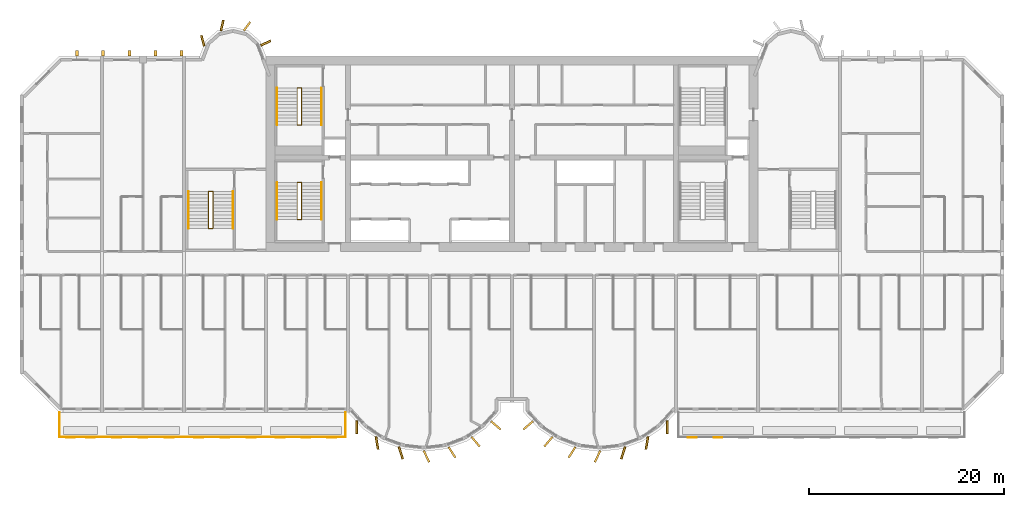
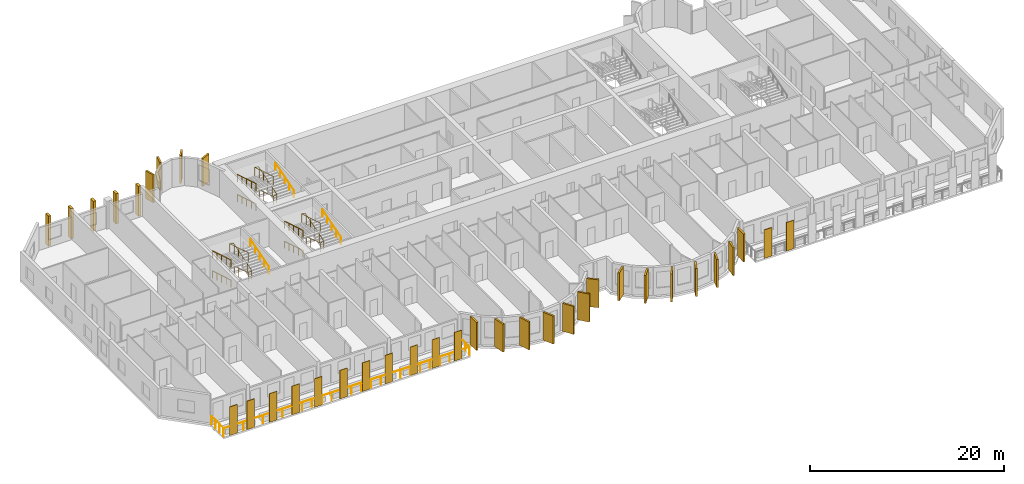
# One storey, part 13 of 15: 36 coverings, 13 railings.
"""IFC4 building model written with IfcOpenShell, lengths in metres."""

import ifcopenshell
import ifcopenshell.guid

model = None  # the IFC model being written
_history = None  # IfcOwnerHistory: only IFC2X3 demands one
_inside = {}  # id of a spatial element -> (the spatial element, [elements in it])
_under = {}  # id of a project, library or spatial element -> (it, [spatial elements below it])
_declared = {}  # id of a project -> (the project, [libraries it declares])
_typed = {}  # id of a type object -> (the type object, [elements of that type])
_made_of = {}  # id of a material, layer set ... -> (it, [elements and type objects made of it])


def new_model(schema):
    """Start an empty IFC model of exactly this schema.

    Asked for "IFC4X3", IfcOpenShell would pick the latest addendum, in which some entities
    have other attributes; the version numbers below select the first issue.
    IFC2X3 requires an IfcOwnerHistory on every rooted entity: one is made here for all.
    """
    global model, _history
    if schema == "IFC4X3":
        model = ifcopenshell.file(schema_version=(4, 3, 0, 0))
    else:
        model = ifcopenshell.file(schema=schema)
    _inside.clear()
    _under.clear()
    _declared.clear()
    _typed.clear()
    _made_of.clear()
    _history = None
    if model.schema == "IFC2X3":
        org = make("IfcOrganization", Name="unknown")
        user = make(
            "IfcPersonAndOrganization",
            ThePerson=make("IfcPerson", FamilyName="unknown"),
            TheOrganization=org,
        )
        app = make(
            "IfcApplication",
            ApplicationDeveloper=org,
            Version="unknown",
            ApplicationFullName="unknown",
            ApplicationIdentifier="unknown",
        )
        _history = make(
            "IfcOwnerHistory",
            OwningUser=user,
            OwningApplication=app,
            ChangeAction="ADDED",
            CreationDate=0,
        )
    return model


def make(cls, **values):
    """One entity of the class cls with the attributes given. An attribute that is None is left unset."""
    return model.create_entity(
        cls, **{name: value for name, value in values.items() if value is not None}
    )


def rooted(cls, **values):
    """An entity with a GlobalId (a new one), such as an element, a storey or a relation."""
    return make(cls, GlobalId=ifcopenshell.guid.new(), OwnerHistory=_history, **values)


def si_unit(unit_type, name, prefix=None):
    """IfcSIUnit, for example si_unit("LENGTHUNIT", "METRE", prefix="MILLI")."""
    return make("IfcSIUnit", UnitType=unit_type, Prefix=prefix, Name=name)


def assignment(units):
    """IfcUnitAssignment: the units of a project."""
    return None if units is None else make("IfcUnitAssignment", Units=units)


def point(xyz):
    """IfcCartesianPoint."""
    return None if xyz is None else make("IfcCartesianPoint", Coordinates=xyz)


def direction(xyz):
    """IfcDirection."""
    return None if xyz is None else make("IfcDirection", DirectionRatios=xyz)


def frame(location, z_axis=None, x_axis=None):
    """IfcAxis2Placement3D, a coordinate frame: its origin and axes. An axis left out is left unset."""
    return make(
        "IfcAxis2Placement3D",
        Location=point(location),
        Axis=direction(z_axis),
        RefDirection=direction(x_axis),
    )


def frame_2d(location, x_axis=None):
    """IfcAxis2Placement2D, a coordinate frame in the plane: its origin and x axis."""
    return make(
        "IfcAxis2Placement2D", Location=point(location), RefDirection=direction(x_axis)
    )


def origin():
    """The frame at (0, 0, 0) with its axes left unset."""
    return frame((0.0, 0.0, 0.0))


def origin_2d():
    """The frame at (0, 0) in the plane with its x axis left unset."""
    return frame_2d((0.0, 0.0))


def place(relative_to, where):
    """IfcLocalPlacement: puts the frame where relative to a parent placement (None: the world)."""
    return make(
        "IfcLocalPlacement", PlacementRelTo=relative_to, RelativePlacement=where
    )


def context(
    kind, dimensions, precision=None, world=None, true_north=None, identifier=None
):
    """IfcGeometricRepresentationContext, for example the 3D "Model" context."""
    return make(
        "IfcGeometricRepresentationContext",
        ContextIdentifier=identifier,
        ContextType=kind,
        CoordinateSpaceDimension=dimensions,
        Precision=precision,
        WorldCoordinateSystem=world,
        TrueNorth=true_north,
    )


def subcontext(parent, identifier, kind, view, scale=None):
    """IfcGeometricRepresentationSubContext, for example "Body" below "Model"."""
    return make(
        "IfcGeometricRepresentationSubContext",
        ContextIdentifier=identifier,
        ContextType=kind,
        ParentContext=parent,
        TargetScale=scale,
        TargetView=view,
    )


def project(units=None, contexts=None):
    """IfcProject with its units and contexts."""
    return rooted(
        "IfcProject",
        Name="project",
        RepresentationContexts=contexts,
        UnitsInContext=assignment(units),
    )


def spatial(cls, under=None, at=None, **own):
    """A site, building, storey or space (cls), placed at a placement, below another one or the project."""
    s = rooted(cls, ObjectPlacement=at, **own)
    if under is not None:
        _under.setdefault(under.id(), (under, []))[1].append(s)
    return s


def profile(cls, at=None, kind="AREA", **sizes):
    """A parametric profile (cls). Its sizes go by their IFC names, for example OverallWidth=200.0."""
    return make(cls, ProfileType=kind, Position=at, **sizes)


def rectangle(**sizes):
    """IfcRectangleProfileDef."""
    return profile("IfcRectangleProfileDef", **sizes)


def circle(**sizes):
    """IfcCircleProfileDef."""
    return profile("IfcCircleProfileDef", **sizes)


def extrude(swept, where, along, depth):
    """IfcExtrudedAreaSolid: the profile swept, set in the frame where, extruded along a direction by depth."""
    return make(
        "IfcExtrudedAreaSolid",
        SweptArea=swept,
        Position=where,
        ExtrudedDirection=direction(along),
        Depth=depth,
    )


def shape(context_of_items, identifier, shape_type, items):
    """IfcShapeRepresentation: the items that make up one representation, for example the "Body"."""
    return make(
        "IfcShapeRepresentation",
        ContextOfItems=context_of_items,
        RepresentationIdentifier=identifier,
        RepresentationType=shape_type,
        Items=items,
    )


def source(mapping_origin, context_of_items, identifier, shape_type, items):
    """IfcRepresentationMap: a shape defined once, which mapped items show again and again."""
    return make(
        "IfcRepresentationMap",
        MappingOrigin=mapping_origin,
        MappedRepresentation=shape(context_of_items, identifier, shape_type, items),
    )


def transform(
    local_origin,
    x_axis=None,
    y_axis=None,
    z_axis=None,
    scale=None,
    scale2=None,
    scale3=None,
    uniform=True,
):
    """IfcCartesianTransformationOperator3D, or its non-uniform kind. x_axis, y_axis, z_axis: its Axis1, 2, 3."""
    if uniform:
        return make(
            "IfcCartesianTransformationOperator3D",
            Axis1=direction(x_axis),
            Axis2=direction(y_axis),
            LocalOrigin=point(local_origin),
            Scale=scale,
            Axis3=direction(z_axis),
        )
    return make(
        "IfcCartesianTransformationOperator3DnonUniform",
        Axis1=direction(x_axis),
        Axis2=direction(y_axis),
        LocalOrigin=point(local_origin),
        Scale=scale,
        Axis3=direction(z_axis),
        Scale2=scale2,
        Scale3=scale3,
    )


def mapped(mapping_source, mapping_target):
    """IfcMappedItem: shows the shape of a source again, moved by a transform."""
    return make(
        "IfcMappedItem", MappingSource=mapping_source, MappingTarget=mapping_target
    )


def material(Name=None, Category=None):
    """IfcMaterial."""
    return make("IfcMaterial", Name=Name, Category=Category)


def layer(
    of_material, thickness, ventilated=None, Name=None, Category=None, Priority=None
):
    """IfcMaterialLayer: one layer of a wall or slab, of a material (None: an air gap)."""
    return make(
        "IfcMaterialLayer",
        Material=of_material,
        LayerThickness=thickness,
        IsVentilated=ventilated,
        Name=Name,
        Category=Category,
        Priority=Priority,
    )


def layer_set(layers, Name=None):
    """IfcMaterialLayerSet."""
    return make("IfcMaterialLayerSet", MaterialLayers=layers, LayerSetName=Name)


def material_profile(
    of_material, cross_section, Name=None, Category=None, Priority=None
):
    """IfcMaterialProfile: a cross section and its material."""
    return make(
        "IfcMaterialProfile",
        Name=Name,
        Material=of_material,
        Profile=cross_section,
        Priority=Priority,
        Category=Category,
    )


def profile_set(profiles, Name=None, composite=None):
    """IfcMaterialProfileSet."""
    return make(
        "IfcMaterialProfileSet",
        Name=Name,
        MaterialProfiles=profiles,
        CompositeProfile=composite,
    )


def made_of(thing, what):
    """Note that an element or type object is made of a material, layer set ...; save() writes the relation."""
    if what is not None:
        _made_of.setdefault(what.id(), (what, []))[1].append(thing)
    return thing


def type_object(cls, material=None, **own):
    """A type object (cls), such as IfcWallType, which elements share."""
    return made_of(rooted(cls, **own), material)


def element(
    cls,
    number,
    at=None,
    inside=None,
    cuts=None,
    type_object=None,
    material=None,
    context=None,
    identifier="Body",
    shape_type=None,
    held_by="IfcProductDefinitionShape",
    body=None,
    shapes=None,
    **own,
):
    """One element of the class cls, such as IfcWall. Its Tag is "e" and its number.

    at: its placement. inside: the storey or other place that contains it. cuts: it is an
    opening in that element (IfcRelVoidsElement). A single representation is given by context,
    identifier, shape_type and body (its items); several are given by shapes. held_by: the class
    of the entity that holds the representations. save() writes the other relations.
    """
    e = rooted(cls, Tag="e%d" % number, ObjectPlacement=at, **own)
    if body is not None:
        shapes = [shape(context, identifier, shape_type, body)]
    if shapes is not None:
        e.Representation = make(held_by, Representations=shapes)
    if inside is not None:
        _inside.setdefault(inside.id(), (inside, []))[1].append(e)
    if cuts is not None:
        rooted(
            "IfcRelVoidsElement", RelatingBuildingElement=cuts, RelatedOpeningElement=e
        )
    if type_object is not None:
        _typed.setdefault(type_object.id(), (type_object, []))[1].append(e)
    return made_of(e, material)


def aggregate(whole, parts):
    """IfcRelAggregates: a whole, such as a stair, and the parts it consists of."""
    return rooted("IfcRelAggregates", RelatingObject=whole, RelatedObjects=parts)


def save(model, path):
    """Write the relations noted so far, then the file.

    IfcRelAggregates (storeys below a building ...), IfcRelContainedInSpatialStructure (elements
    in a storey), IfcRelDefinesByType, IfcRelAssociatesMaterial and IfcRelDeclares: one each for
    every whole, place, type object, material and project.
    """
    for whole, parts in _under.values():
        aggregate(whole, parts)
    for where, things in _inside.values():
        rooted(
            "IfcRelContainedInSpatialStructure",
            RelatedElements=things,
            RelatingStructure=where,
        )
    for kind, things in _typed.values():
        rooted("IfcRelDefinesByType", RelatedObjects=things, RelatingType=kind)
    for what, things in _made_of.values():
        rooted("IfcRelAssociatesMaterial", RelatedObjects=things, RelatingMaterial=what)
    for by, libraries in _declared.values():
        rooted("IfcRelDeclares", RelatingContext=by, RelatedDefinitions=libraries)
    model.write(path)


model = new_model("IFC4")

# Units and contexts
model_context = context("Model", 3, precision=1e-05, world=origin(), true_north=direction((0.0, 1.0)))
body_context = subcontext(model_context, "Body", "Model", "MODEL_VIEW")
ifc_project = project(units=[si_unit("LENGTHUNIT", "METRE"), si_unit("AREAUNIT", "SQUARE_METRE"), si_unit("VOLUMEUNIT", "CUBIC_METRE"), si_unit("PLANEANGLEUNIT", "RADIAN"), si_unit("MASSUNIT", "GRAM", prefix="KILO")], contexts=[model_context])

# Site, building, storey
site_placement = place(None, origin())
site = spatial("IfcSite", under=ifc_project, at=site_placement, CompositionType="ELEMENT")
building_placement = place(site_placement, origin())
building = spatial("IfcBuilding", under=site, at=building_placement, Name="Vanashikhar Sky Hotel", CompositionType="ELEMENT")
storey_placement = place(building_placement, frame((0.0, 0.0, 110.39990234375)))
storey = spatial("IfcBuildingStorey", under=building, at=storey_placement, Name="L26", CompositionType="ELEMENT", Elevation=110.39990234375)

# Railing
ifc_material_1 = material(Name="Stainless steel 316", Category="steel")
railing_type_1 = type_object("IfcRailingType", Name="Balcony guard 1100", PredefinedType="GUARDRAIL", material=ifc_material_1)
shared_shape_1 = source(origin(), body_context, "Body", "SweptSolid", [
    extrude(circle(Radius=0.02392578125, at=origin_2d()), frame((0.0, 0.0, 1.076171875), z_axis=(0.0, -1.0, 0.0), x_axis=(1.0, 0.0, 0.0)), (0.0, 0.0, 1.0), 2.5),
    extrude(circle(Radius=0.02392578125, at=origin_2d()), frame((0.0, -2.5, 1.076171875), z_axis=(1.0, 0.0, 0.0), x_axis=(0.0, 1.0, 0.0)), (0.0, 0.0, 1.0), 29.280029296875),
    extrude(circle(Radius=0.02392578125, at=origin_2d()), frame((29.280029296875, -2.5, 1.076171875), z_axis=(0.0, 1.0, 0.0), x_axis=(-1.0, 0.0, 0.0)), (0.0, 0.0, 1.0), 2.5),
    extrude(circle(Radius=0.02099609375, at=origin_2d()), origin(), (0.0, 0.0, 1.0), 1.052001953125),
    extrude(circle(Radius=0.02099609375, at=origin_2d()), frame((0.0, -0.833251953125, 0.0)), (0.0, 0.0, 1.0), 1.052001953125),
    extrude(circle(Radius=0.02099609375, at=origin_2d()), frame((0.0, -1.666748046875, 0.0)), (0.0, 0.0, 1.0), 1.052001953125),
    extrude(circle(Radius=0.02099609375, at=origin_2d()), frame((0.0, -2.5, 0.0)), (0.0, 0.0, 1.0), 1.052001953125),
    extrude(circle(Radius=0.02099609375, at=origin_2d()), frame((1.171142578125, -2.5, 0.0)), (0.0, 0.0, 1.0), 1.052001953125),
    extrude(circle(Radius=0.02099609375, at=origin_2d()), frame((2.34228515625, -2.5, 0.0)), (0.0, 0.0, 1.0), 1.052001953125),
    extrude(circle(Radius=0.02099609375, at=origin_2d()), frame((3.513671875, -2.5, 0.0)), (0.0, 0.0, 1.0), 1.052001953125),
    extrude(circle(Radius=0.02099609375, at=origin_2d()), frame((4.684814453125, -2.5, 0.0)), (0.0, 0.0, 1.0), 1.052001953125),
    extrude(circle(Radius=0.02099609375, at=origin_2d()), frame((5.85595703125, -2.5, 0.0)), (0.0, 0.0, 1.0), 1.052001953125),
    extrude(circle(Radius=0.02099609375, at=origin_2d()), frame((7.027099609375, -2.5, 0.0)), (0.0, 0.0, 1.0), 1.052001953125),
    extrude(circle(Radius=0.02099609375, at=origin_2d()), frame((8.198486328125, -2.5, 0.0)), (0.0, 0.0, 1.0), 1.052001953125),
    extrude(circle(Radius=0.02099609375, at=origin_2d()), frame((9.36962890625, -2.5, 0.0)), (0.0, 0.0, 1.0), 1.052001953125),
    extrude(circle(Radius=0.02099609375, at=origin_2d()), frame((10.540771484375, -2.5, 0.0)), (0.0, 0.0, 1.0), 1.052001953125),
    extrude(circle(Radius=0.02099609375, at=origin_2d()), frame((11.7119140625, -2.5, 0.0)), (0.0, 0.0, 1.0), 1.052001953125),
    extrude(circle(Radius=0.02099609375, at=origin_2d()), frame((12.88330078125, -2.5, 0.0)), (0.0, 0.0, 1.0), 1.052001953125),
    extrude(circle(Radius=0.02099609375, at=origin_2d()), frame((14.054443359375, -2.5, 0.0)), (0.0, 0.0, 1.0), 1.052001953125),
    extrude(circle(Radius=0.02099609375, at=origin_2d()), frame((15.2255859375, -2.5, 0.0)), (0.0, 0.0, 1.0), 1.052001953125),
    extrude(circle(Radius=0.02099609375, at=origin_2d()), frame((16.396728515625, -2.5, 0.0)), (0.0, 0.0, 1.0), 1.052001953125),
    extrude(circle(Radius=0.02099609375, at=origin_2d()), frame((17.568115234375, -2.5, 0.0)), (0.0, 0.0, 1.0), 1.052001953125),
    extrude(circle(Radius=0.02099609375, at=origin_2d()), frame((18.7392578125, -2.5, 0.0)), (0.0, 0.0, 1.0), 1.052001953125),
    extrude(circle(Radius=0.02099609375, at=origin_2d()), frame((19.910400390625, -2.5, 0.0)), (0.0, 0.0, 1.0), 1.052001953125),
    extrude(circle(Radius=0.02099609375, at=origin_2d()), frame((21.08154296875, -2.5, 0.0)), (0.0, 0.0, 1.0), 1.052001953125),
    extrude(circle(Radius=0.02099609375, at=origin_2d()), frame((22.2529296875, -2.5, 0.0)), (0.0, 0.0, 1.0), 1.052001953125),
    extrude(circle(Radius=0.02099609375, at=origin_2d()), frame((23.424072265625, -2.5, 0.0)), (0.0, 0.0, 1.0), 1.052001953125),
    extrude(circle(Radius=0.02099609375, at=origin_2d()), frame((24.59521484375, -2.5, 0.0)), (0.0, 0.0, 1.0), 1.052001953125),
    extrude(circle(Radius=0.02099609375, at=origin_2d()), frame((25.766357421875, -2.5, 0.0)), (0.0, 0.0, 1.0), 1.052001953125),
    extrude(circle(Radius=0.02099609375, at=origin_2d()), frame((26.937744140625, -2.5, 0.0)), (0.0, 0.0, 1.0), 1.052001953125),
    extrude(circle(Radius=0.02099609375, at=origin_2d()), frame((28.10888671875, -2.5, 0.0)), (0.0, 0.0, 1.0), 1.052001953125),
    extrude(circle(Radius=0.02099609375, at=origin_2d()), frame((29.280029296875, -2.5, 0.0)), (0.0, 0.0, 1.0), 1.052001953125),
    extrude(circle(Radius=0.02099609375, at=origin_2d()), frame((29.280029296875, -1.666748046875, 0.0)), (0.0, 0.0, 1.0), 1.052001953125),
    extrude(circle(Radius=0.02099609375, at=origin_2d()), frame((29.280029296875, -0.833251953125, 0.0)), (0.0, 0.0, 1.0), 1.052001953125),
    extrude(circle(Radius=0.02099609375, at=origin_2d()), frame((29.280029296875, 0.0, 0.0)), (0.0, 0.0, 1.0), 1.052001953125),
])
railing_1_placement = place(storey_placement, frame((4.06005859375, 5.5, -0.0498046875)))
element("IfcRailing", 1, at=railing_1_placement, inside=storey, type_object=railing_type_1, Name="Balcony guard", PredefinedType="GUARDRAIL", context=body_context, shape_type="MappedRepresentation", body=[
    mapped(shared_shape_1, transform((0.0, 0.0, 0.0), scale=1.0)),
])

# Coverings
ifc_material_2 = material(Name="Terracotta", Category="masonry")
ifc_layer = layer(ifc_material_2, 0.06005859375)
ifc_layer_set = layer_set([ifc_layer], Name="Terracotta baguette screen")
covering_type_1 = type_object("IfcCoveringType", Name="Terracotta baguette screen", PredefinedType="CLADDING", material=ifc_layer_set)
shared_shape_2 = source(origin(), body_context, "Body", "SweptSolid", [
    extrude(rectangle(XDim=0.89990234375, YDim=0.06005859375, at=origin_2d()), origin(), (0.0, 0.0, 1.0), 3.60009765625),
])
for number, where, z_axis, x_axis, name in (
    (2, (5.175048828125, 2.929931640625, -0.050048828125), (0.0, 0.0, 1.0), (1.0, 0.0, 0.0), "Terracotta screen"),
    (3, (7.22509765625, 2.929931640625, -0.050048828125), (0.0, 0.0, 1.0), (1.0, 0.0, 0.0), "Terracotta screen"),
    (4, (9.89990234375, 2.929931640625, -0.050048828125), (0.0, 0.0, 1.0), (1.0, 0.0, 0.0), "Terracotta screen"),
    (5, (12.60009765625, 2.929931640625, -0.050048828125), (0.0, 0.0, 1.0), (1.0, 0.0, 0.0), "Terracotta screen"),
    (6, (15.300048828125, 2.929931640625, -0.050048828125), (0.0, 0.0, 1.0), (1.0, 0.0, 0.0), "Terracotta screen"),
    (7, (18.300048828125, 2.929931640625, -0.050048828125), (0.0, 0.0, 1.0), (1.0, 0.0, 0.0), "Terracotta screen"),
    (8, (21.0, 2.929931640625, -0.050048828125), (0.0, 0.0, 1.0), (1.0, 0.0, 0.0), "Terracotta screen"),
    (9, (23.699951171875, 2.929931640625, -0.050048828125), (0.0, 0.0, 1.0), (1.0, 0.0, 0.0), "Terracotta screen"),
    (10, (26.666748046875, 2.929931640625, -0.050048828125), (0.0, 0.0, 1.0), (1.0, 0.0, 0.0), "Terracotta screen"),
    (11, (29.300048828125, 2.929931640625, -0.050048828125), (0.0, 0.0, 1.0), (1.0, 0.0, 0.0), "Terracotta screen"),
    (12, (31.933349609375, 2.929931640625, -0.050048828125), (0.0, 0.0, 1.0), (1.0, 0.0, 0.0), "Terracotta screen"),
    (13, (68.86669921875, 2.929931640625, -0.050048828125), (0.0, 0.0, 1.0), (1.0, 0.0, 0.0), "Terracotta screen"),
    (14, (71.5, 2.929931640625, -0.050048828125), (0.0, 0.0, 1.0), (1.0, 0.0, 0.0), "Terracotta screen"),
):
    element("IfcCovering", number, at=place(storey_placement, frame(where, z_axis=z_axis, x_axis=x_axis)), inside=storey, type_object=covering_type_1, Name=name, PredefinedType="CLADDING", context=body_context, shape_type="MappedRepresentation", body=[
        mapped(shared_shape_2, transform((0.0, 0.0, 0.0), scale=1.0)),
    ])
ifc_material_3 = material(Name="Concrete M60 dark", Category="concrete")
ifc_material_profile_1 = material_profile(ifc_material_3, rectangle(XDim=1.300048828125, YDim=0.199951171875, at=origin_2d()))
ifc_profile_set_1 = profile_set([ifc_material_profile_1], Name="Fin 1300 x 200")
covering_type_2 = type_object("IfcCoveringType", Name="Fin 1300 x 200", PredefinedType="CLADDING", material=ifc_profile_set_1)
shared_shape_3 = source(origin(), body_context, "Body", "SweptSolid", [
    extrude(rectangle(XDim=1.300048828125, YDim=0.199951171875, at=origin_2d()), origin(), (0.0, 0.0, 1.0), 3.52001953125),
])
for number, where, z_axis, x_axis, name in (
    (15, (34.482421875, 3.992919921875, 0.0), (0.0, 0.0, 1.0), (0.011588726826, -0.999932848451, 0.0), "Fin F1-1"),
    (16, (36.572509765625, 2.3779296875, 0.0), (0.0, 0.0, 1.0), (0.16989991575, -0.985461322746, 0.0), "Fin F1-2"),
    (17, (39.00830078125, 1.35693359375, 0.0), (0.0, 0.0, 1.0), (0.303966551867, -0.952682704444, 0.0), "Fin F1-3"),
    (18, (41.63232421875, 1.00146484375, 0.0), (0.0, 0.0, 1.0), (0.422618261741, -0.906307787037, 0.0), "Fin F1-4"),
    (19, (44.251953125, 1.416015625, 0.0), (0.0, 0.0, 1.0), (0.534411358496, -0.845224526331, 0.0), "Fin F1-5"),
    (20, (46.676025390625, 2.5, 0.0), (0.0, 0.0, 1.0), (0.645697609467, -0.763593214433, 0.0), "Fin F1-6"),
    (21, (48.7412109375, 4.1845703125, 0.0), (0.0, 0.0, 1.0), (0.758543912032, -0.65162192529, 0.0), "Fin F1-7"),
    (22, (52.058837890625, 4.1845703125, 0.0), (0.0, 0.0, 1.0), (-0.758543912032, -0.65162192529, 0.0), "Fin F2-1"),
    (23, (54.123779296875, 2.5, 0.0), (0.0, 0.0, 1.0), (-0.645697609467, -0.763593214433, 0.0), "Fin F2-2"),
    (24, (56.547119140625, 1.416015625, 0.0), (0.0, 0.0, 1.0), (-0.534411358496, -0.845224526331, 0.0), "Fin F2-3"),
    (25, (59.16748046875, 1.00146484375, 0.0), (0.0, 0.0, 1.0), (-0.422618261741, -0.906307787037, 0.0), "Fin F2-4"),
    (26, (61.790771484375, 1.35693359375, 0.0), (0.0, 0.0, 1.0), (-0.303966551867, -0.952682704444, 0.0), "Fin F2-5"),
    (27, (64.2275390625, 2.3779296875, 0.0), (0.0, 0.0, 1.0), (-0.16989991575, -0.985461322746, 0.0), "Fin F2-6"),
    (28, (66.317626953125, 3.992919921875, 0.0), (0.0, 0.0, 1.0), (-0.011588726826, -0.999932848451, 0.0), "Fin F2-7"),
):
    element("IfcCovering", number, at=place(storey_placement, frame(where, z_axis=z_axis, x_axis=x_axis)), inside=storey, type_object=covering_type_2, Name=name, PredefinedType="CLADDING", context=body_context, shape_type="MappedRepresentation", body=[
        mapped(shared_shape_3, transform((0.0, 0.0, 0.0), scale=1.0)),
    ])
ifc_material_profile_2 = material_profile(ifc_material_3, rectangle(XDim=1.10009765625, YDim=0.199951171875, at=origin_2d()))
ifc_profile_set_2 = profile_set([ifc_material_profile_2], Name="Rear lobe fin 1100 x 200")
covering_type_3 = type_object("IfcCoveringType", Name="Rear lobe fin 1100 x 200", PredefinedType="CLADDING", material=ifc_profile_set_2)
shared_shape_4 = source(origin(), body_context, "Body", "SweptSolid", [
    extrude(rectangle(XDim=1.10009765625, YDim=0.199951171875, at=origin_2d()), origin(), (0.0, 0.0, 1.0), 3.52001953125),
])
for number, where, z_axis, x_axis, name in (
    (29, (18.720703125, 43.580078125, 0.0), (0.0, 0.0, 1.0), (-0.262711264409, 0.964874495234, 0.0), "Fin R1-1"),
    (30, (20.710205078125, 45.1455078125, 0.0), (0.0, 0.0, 1.0), (0.224644935864, 0.974440687159, 0.0), "Fin R1-2"),
    (31, (23.261962890625, 45.06640625, 0.0), (0.0, 0.0, 1.0), (0.602065892195, 0.798446404874, 0.0), "Fin R1-3"),
    (32, (25.169677734375, 43.33447265625, 0.0), (0.0, 0.0, 1.0), (0.908004291068, 0.418960866193, 0.0), "Fin R1-4"),
):
    element("IfcCovering", number, at=place(storey_placement, frame(where, z_axis=z_axis, x_axis=x_axis)), inside=storey, type_object=covering_type_3, Name=name, PredefinedType="CLADDING", context=body_context, shape_type="MappedRepresentation", body=[
        mapped(shared_shape_4, transform((0.0, 0.0, 0.0), scale=1.0)),
    ])
ifc_material_profile_3 = material_profile(ifc_material_3, rectangle(XDim=0.60009765625, YDim=0.300048828125, at=origin_2d()))
ifc_profile_set_3 = profile_set([ifc_material_profile_3], Name="Rear rib 600 x 300")
covering_type_4 = type_object("IfcCoveringType", Name="Rear rib 600 x 300", PredefinedType="CLADDING", material=ifc_profile_set_3)
shared_shape_5 = source(origin(), body_context, "Body", "SweptSolid", [
    extrude(rectangle(XDim=0.60009765625, YDim=0.300048828125, at=origin_2d()), origin(), (0.0, 0.0, 1.0), 3.7998046875),
])
for number, where, z_axis, x_axis, name in (
    (33, (5.840087890625, 42.300048828125, -0.27978515625), (0.0, 0.0, 1.0), (0.0, 1.0, 0.0), "Rear rib"),
    (34, (8.52001953125, 42.300048828125, -0.27978515625), (0.0, 0.0, 1.0), (0.0, 1.0, 0.0), "Rear rib"),
    (35, (11.199951171875, 42.300048828125, -0.27978515625), (0.0, 0.0, 1.0), (0.0, 1.0, 0.0), "Rear rib"),
    (36, (13.8798828125, 42.300048828125, -0.27978515625), (0.0, 0.0, 1.0), (0.0, 1.0, 0.0), "Rear rib"),
    (37, (16.56005859375, 42.300048828125, -0.27978515625), (0.0, 0.0, 1.0), (0.0, 1.0, 0.0), "Rear rib"),
):
    element("IfcCovering", number, at=place(storey_placement, frame(where, z_axis=z_axis, x_axis=x_axis)), inside=storey, type_object=covering_type_4, Name=name, PredefinedType="CLADDING", context=body_context, shape_type="MappedRepresentation", body=[
        mapped(shared_shape_5, transform((0.0, 0.0, 0.0), scale=1.0)),
    ])

# Railings
ifc_material_4 = material(Name="Steel S355", Category="steel")
railing_type_2 = type_object("IfcRailingType", Name="Stair handrail 900", PredefinedType="HANDRAIL", material=ifc_material_4)
shared_shape_6 = source(origin(), body_context, "Body", "SweptSolid", [
    extrude(circle(Radius=0.02392578125, at=origin_2d()), frame((0.0, 0.0, 0.8759765625), z_axis=(0.0, 0.95635109408, 0.292220096591), x_axis=(-1.0, 0.0, 0.0)), (0.0, 0.0, 1.0), 3.973388671875),
    extrude(circle(Radius=0.02099609375, at=origin_2d()), origin(), (0.0, 0.0, 1.0), 0.851806640625),
    extrude(circle(Radius=0.02099609375, at=origin_2d()), frame((0.0, 0.949951171875, 0.290283203125)), (0.0, 0.0, 1.0), 0.851806640625),
    extrude(circle(Radius=0.02099609375, at=origin_2d()), frame((0.0, 1.89990234375, 0.58056640625)), (0.0, 0.0, 1.0), 0.851806640625),
    extrude(circle(Radius=0.02099609375, at=origin_2d()), frame((0.0, 2.85009765625, 0.870849609375)), (0.0, 0.0, 1.0), 0.851806640625),
    extrude(circle(Radius=0.02099609375, at=origin_2d()), frame((0.0, 3.800048828125, 1.1611328125)), (0.0, 0.0, 1.0), 0.851806640625),
])
for number, where, name in (
    (38, (30.89990234375, 25.25, 1.372314453125), "Exit stair 1 handrail"),
    (39, (30.89990234375, 34.949951171875, 1.372314453125), "Exit stair 5 handrail"),
):
    element("IfcRailing", number, at=place(storey_placement, frame(where)), inside=storey, type_object=railing_type_2, Name=name, PredefinedType="HANDRAIL", context=body_context, shape_type="MappedRepresentation", body=[
        mapped(shared_shape_6, transform((0.0, 0.0, 0.0), scale=1.0)),
    ])
shared_shape_7 = source(origin(), body_context, "Body", "SweptSolid", [
    extrude(circle(Radius=0.02392578125, at=origin_2d()), frame((0.0, 0.0, 0.8759765625), z_axis=(0.0, -0.95635109408, 0.292220096591), x_axis=(1.0, 0.0, 0.0)), (0.0, 0.0, 1.0), 3.973388671875),
    extrude(circle(Radius=0.02099609375, at=origin_2d()), origin(), (0.0, 0.0, 1.0), 0.851806640625),
    extrude(circle(Radius=0.02099609375, at=origin_2d()), frame((0.0, -0.949951171875, 0.290283203125)), (0.0, 0.0, 1.0), 0.851806640625),
    extrude(circle(Radius=0.02099609375, at=origin_2d()), frame((0.0, -1.89990234375, 0.58056640625)), (0.0, 0.0, 1.0), 0.851806640625),
    extrude(circle(Radius=0.02099609375, at=origin_2d()), frame((0.0, -2.85009765625, 0.870849609375)), (0.0, 0.0, 1.0), 0.851806640625),
    extrude(circle(Radius=0.02099609375, at=origin_2d()), frame((0.0, -3.800048828125, 1.1611328125)), (0.0, 0.0, 1.0), 0.851806640625),
])
for number, where, name in (
    (40, (26.35009765625, 29.050048828125, 0.105712890625), "Exit stair 1 handrail"),
    (41, (26.35009765625, 29.050048828125, 2.638916015625), "Exit stair 1 handrail"),
    (42, (26.35009765625, 38.75, 0.105712890625), "Exit stair 5 handrail"),
    (43, (26.35009765625, 38.75, 2.638916015625), "Exit stair 5 handrail"),
):
    element("IfcRailing", number, at=place(storey_placement, frame(where)), inside=storey, type_object=railing_type_2, Name=name, PredefinedType="HANDRAIL", context=body_context, shape_type="MappedRepresentation", body=[
        mapped(shared_shape_7, transform((0.0, 0.0, 0.0), scale=1.0)),
    ])
railing_type_3 = type_object("IfcRailingType", Name="Stair guard 1100", PredefinedType="GUARDRAIL", material=ifc_material_4)
shared_shape_8 = source(origin(), body_context, "Body", "SweptSolid", [
    extrude(circle(Radius=0.02392578125, at=origin_2d()), frame((0.0, 0.0, 1.076171875), z_axis=(-0.973520925263, 0.0, 0.228597917917), x_axis=(0.0, -1.0, 0.0)), (0.0, 0.0, 1.0), 0.46240234375),
    extrude(circle(Radius=0.02392578125, at=origin_2d()), frame((-0.4501953125, 0.0, 1.181640625), z_axis=(0.0, -0.95635109408, 0.292220096591), x_axis=(1.0, 0.0, 0.0)), (0.0, 0.0, 1.0), 3.973388671875),
    extrude(circle(Radius=0.02392578125, at=origin_2d()), frame((-0.4501953125, -3.800048828125, 2.3427734375), z_axis=(0.973638301096, 0.0, 0.228097476179), x_axis=(0.0, 1.0, 0.0)), (0.0, 0.0, 1.0), 0.46240234375),
    extrude(circle(Radius=0.02392578125, at=origin_2d()), frame((0.0, -3.800048828125, 2.4482421875), z_axis=(0.0, 0.95635109408, 0.292220096591), x_axis=(-1.0, 0.0, 0.0)), (0.0, 0.0, 1.0), 3.973388671875),
    extrude(circle(Radius=0.02392578125, at=origin_2d()), frame((0.0, 0.0, 3.609375), z_axis=(-0.973638301096, 0.0, 0.228097476179), x_axis=(0.0, -1.0, 0.0)), (0.0, 0.0, 1.0), 0.46240234375),
    extrude(circle(Radius=0.02392578125, at=origin_2d()), frame((-0.4501953125, 0.0, 3.71484375), z_axis=(0.0, -0.95635109408, 0.292220096591), x_axis=(1.0, 0.0, 0.0)), (0.0, 0.0, 1.0), 3.973388671875),
    extrude(circle(Radius=0.02099609375, at=origin_2d()), origin(), (0.0, 0.0, 1.0), 1.052001953125),
    extrude(circle(Radius=0.02099609375, at=origin_2d()), frame((-0.4501953125, 0.0, 0.105712890625)), (0.0, 0.0, 1.0), 1.052001953125),
    extrude(circle(Radius=0.02099609375, at=origin_2d()), frame((-0.4501953125, -0.949951171875, 0.39599609375)), (0.0, 0.0, 1.0), 1.052001953125),
    extrude(circle(Radius=0.02099609375, at=origin_2d()), frame((-0.4501953125, -1.89990234375, 0.686279296875)), (0.0, 0.0, 1.0), 1.052001953125),
    extrude(circle(Radius=0.02099609375, at=origin_2d()), frame((-0.4501953125, -2.85009765625, 0.9765625)), (0.0, 0.0, 1.0), 1.052001953125),
    extrude(circle(Radius=0.02099609375, at=origin_2d()), frame((-0.4501953125, -3.800048828125, 1.266845703125)), (0.0, 0.0, 1.0), 1.052001953125),
    extrude(circle(Radius=0.02099609375, at=origin_2d()), frame((0.0, -3.800048828125, 1.372314453125)), (0.0, 0.0, 1.0), 1.052001953125),
    extrude(circle(Radius=0.02099609375, at=origin_2d()), frame((0.0, -2.85009765625, 1.66259765625)), (0.0, 0.0, 1.0), 1.052001953125),
    extrude(circle(Radius=0.02099609375, at=origin_2d()), frame((0.0, -1.89990234375, 1.952880859375)), (0.0, 0.0, 1.0), 1.052001953125),
    extrude(circle(Radius=0.02099609375, at=origin_2d()), frame((0.0, -0.949951171875, 2.2431640625)), (0.0, 0.0, 1.0), 1.052001953125),
    extrude(circle(Radius=0.02099609375, at=origin_2d()), frame((0.0, 0.0, 2.533447265625)), (0.0, 0.0, 1.0), 1.052001953125),
    extrude(circle(Radius=0.02099609375, at=origin_2d()), frame((-0.4501953125, 0.0, 2.638916015625)), (0.0, 0.0, 1.0), 1.052001953125),
    extrude(circle(Radius=0.02099609375, at=origin_2d()), frame((-0.4501953125, -0.949951171875, 2.92919921875)), (0.0, 0.0, 1.0), 1.052001953125),
    extrude(circle(Radius=0.02099609375, at=origin_2d()), frame((-0.4501953125, -1.89990234375, 3.219482421875)), (0.0, 0.0, 1.0), 1.052001953125),
    extrude(circle(Radius=0.02099609375, at=origin_2d()), frame((-0.4501953125, -2.85009765625, 3.509765625)), (0.0, 0.0, 1.0), 1.052001953125),
    extrude(circle(Radius=0.02099609375, at=origin_2d()), frame((-0.4501953125, -3.800048828125, 3.800048828125)), (0.0, 0.0, 1.0), 1.052001953125),
])
for number, where, name in (
    (44, (28.85009765625, 29.050048828125, 0.0), "Exit stair 1 guard"),
    (45, (28.85009765625, 38.75, 0.0), "Exit stair 5 guard"),
):
    element("IfcRailing", number, at=place(storey_placement, frame(where)), inside=storey, type_object=railing_type_3, Name=name, PredefinedType="GUARDRAIL", context=body_context, shape_type="MappedRepresentation", body=[
        mapped(shared_shape_8, transform((0.0, 0.0, 0.0), scale=1.0)),
    ])
shared_shape_9 = source(origin(), body_context, "Body", "SweptSolid", [
    extrude(circle(Radius=0.02392578125, at=origin_2d()), frame((0.0, 0.0, 0.8759765625), z_axis=(0.0, 0.956345846891, 0.292237268557), x_axis=(-1.0, 0.0, 0.0)), (0.0, 0.0, 1.0), 3.97314453125),
    extrude(circle(Radius=0.02099609375, at=origin_2d()), origin(), (0.0, 0.0, 1.0), 0.851806640625),
    extrude(circle(Radius=0.02099609375, at=origin_2d()), frame((0.0, 0.949951171875, 0.290283203125)), (0.0, 0.0, 1.0), 0.851806640625),
    extrude(circle(Radius=0.02099609375, at=origin_2d()), frame((0.0, 1.89990234375, 0.58056640625)), (0.0, 0.0, 1.0), 0.851806640625),
    extrude(circle(Radius=0.02099609375, at=origin_2d()), frame((0.0, 2.849853515625, 0.870849609375)), (0.0, 0.0, 1.0), 0.851806640625),
    extrude(circle(Radius=0.02099609375, at=origin_2d()), frame((0.0, 3.7998046875, 1.1611328125)), (0.0, 0.0, 1.0), 0.851806640625),
])
railing_2_placement = place(storey_placement, frame((21.800048828125, 24.35009765625, 1.372314453125)))
element("IfcRailing", 46, at=railing_2_placement, inside=storey, type_object=railing_type_2, Name="Exit stair 3 handrail", PredefinedType="HANDRAIL", context=body_context, shape_type="MappedRepresentation", body=[
    mapped(shared_shape_9, transform((0.0, 0.0, 0.0), scale=1.0)),
])
shared_shape_10 = source(origin(), body_context, "Body", "SweptSolid", [
    extrude(circle(Radius=0.02392578125, at=origin_2d()), frame((0.0, 0.0, 0.8759765625), z_axis=(0.0, -0.956345846891, 0.292237268557), x_axis=(1.0, 0.0, 0.0)), (0.0, 0.0, 1.0), 3.97314453125),
    extrude(circle(Radius=0.02099609375, at=origin_2d()), origin(), (0.0, 0.0, 1.0), 0.851806640625),
    extrude(circle(Radius=0.02099609375, at=origin_2d()), frame((0.0, -0.949951171875, 0.290283203125)), (0.0, 0.0, 1.0), 0.851806640625),
    extrude(circle(Radius=0.02099609375, at=origin_2d()), frame((0.0, -1.89990234375, 0.58056640625)), (0.0, 0.0, 1.0), 0.851806640625),
    extrude(circle(Radius=0.02099609375, at=origin_2d()), frame((0.0, -2.849853515625, 0.870849609375)), (0.0, 0.0, 1.0), 0.851806640625),
    extrude(circle(Radius=0.02099609375, at=origin_2d()), frame((0.0, -3.7998046875, 1.1611328125)), (0.0, 0.0, 1.0), 0.851806640625),
])
for number, where, name in (
    (47, (17.25, 28.14990234375, 0.105712890625), "Exit stair 3 handrail"),
    (48, (17.25, 28.14990234375, 2.638916015625), "Exit stair 3 handrail"),
):
    element("IfcRailing", number, at=place(storey_placement, frame(where)), inside=storey, type_object=railing_type_2, Name=name, PredefinedType="HANDRAIL", context=body_context, shape_type="MappedRepresentation", body=[
        mapped(shared_shape_10, transform((0.0, 0.0, 0.0), scale=1.0)),
    ])
shared_shape_11 = source(origin(), body_context, "Body", "SweptSolid", [
    extrude(circle(Radius=0.02392578125, at=origin_2d()), frame((0.0, 0.0, 1.076171875), z_axis=(-0.973493315427, 0.0, 0.228715466945), x_axis=(0.0, -1.0, 0.0)), (0.0, 0.0, 1.0), 0.462158203125),
    extrude(circle(Radius=0.02392578125, at=origin_2d()), frame((-0.449951171875, 0.0, 1.181640625), z_axis=(0.0, -0.956345846891, 0.292237268557), x_axis=(1.0, 0.0, 0.0)), (0.0, 0.0, 1.0), 3.97314453125),
    extrude(circle(Radius=0.02392578125, at=origin_2d()), frame((-0.449951171875, -3.7998046875, 2.3427734375), z_axis=(0.973610808694, 0.0, 0.228214796178), x_axis=(0.0, 1.0, 0.0)), (0.0, 0.0, 1.0), 0.462158203125),
    extrude(circle(Radius=0.02392578125, at=origin_2d()), frame((0.0, -3.7998046875, 2.4482421875), z_axis=(0.0, 0.956345846891, 0.292237268557), x_axis=(-1.0, 0.0, 0.0)), (0.0, 0.0, 1.0), 3.97314453125),
    extrude(circle(Radius=0.02392578125, at=origin_2d()), frame((0.0, 0.0, 3.609375), z_axis=(-0.973610808694, 0.0, 0.228214796178), x_axis=(0.0, -1.0, 0.0)), (0.0, 0.0, 1.0), 0.462158203125),
    extrude(circle(Radius=0.02392578125, at=origin_2d()), frame((-0.449951171875, 0.0, 3.71484375), z_axis=(0.0, -0.956345846891, 0.292237268557), x_axis=(1.0, 0.0, 0.0)), (0.0, 0.0, 1.0), 3.97314453125),
    extrude(circle(Radius=0.02099609375, at=origin_2d()), origin(), (0.0, 0.0, 1.0), 1.052001953125),
    extrude(circle(Radius=0.02099609375, at=origin_2d()), frame((-0.449951171875, 0.0, 0.105712890625)), (0.0, 0.0, 1.0), 1.052001953125),
    extrude(circle(Radius=0.02099609375, at=origin_2d()), frame((-0.449951171875, -0.949951171875, 0.39599609375)), (0.0, 0.0, 1.0), 1.052001953125),
    extrude(circle(Radius=0.02099609375, at=origin_2d()), frame((-0.449951171875, -1.89990234375, 0.686279296875)), (0.0, 0.0, 1.0), 1.052001953125),
    extrude(circle(Radius=0.02099609375, at=origin_2d()), frame((-0.449951171875, -2.849853515625, 0.9765625)), (0.0, 0.0, 1.0), 1.052001953125),
    extrude(circle(Radius=0.02099609375, at=origin_2d()), frame((-0.449951171875, -3.7998046875, 1.266845703125)), (0.0, 0.0, 1.0), 1.052001953125),
    extrude(circle(Radius=0.02099609375, at=origin_2d()), frame((0.0, -3.7998046875, 1.372314453125)), (0.0, 0.0, 1.0), 1.052001953125),
    extrude(circle(Radius=0.02099609375, at=origin_2d()), frame((0.0, -2.849853515625, 1.66259765625)), (0.0, 0.0, 1.0), 1.052001953125),
    extrude(circle(Radius=0.02099609375, at=origin_2d()), frame((0.0, -1.89990234375, 1.952880859375)), (0.0, 0.0, 1.0), 1.052001953125),
    extrude(circle(Radius=0.02099609375, at=origin_2d()), frame((0.0, -0.949951171875, 2.2431640625)), (0.0, 0.0, 1.0), 1.052001953125),
    extrude(circle(Radius=0.02099609375, at=origin_2d()), frame((0.0, 0.0, 2.533447265625)), (0.0, 0.0, 1.0), 1.052001953125),
    extrude(circle(Radius=0.02099609375, at=origin_2d()), frame((-0.449951171875, 0.0, 2.638916015625)), (0.0, 0.0, 1.0), 1.052001953125),
    extrude(circle(Radius=0.02099609375, at=origin_2d()), frame((-0.449951171875, -0.949951171875, 2.92919921875)), (0.0, 0.0, 1.0), 1.052001953125),
    extrude(circle(Radius=0.02099609375, at=origin_2d()), frame((-0.449951171875, -1.89990234375, 3.219482421875)), (0.0, 0.0, 1.0), 1.052001953125),
    extrude(circle(Radius=0.02099609375, at=origin_2d()), frame((-0.449951171875, -2.849853515625, 3.509765625)), (0.0, 0.0, 1.0), 1.052001953125),
    extrude(circle(Radius=0.02099609375, at=origin_2d()), frame((-0.449951171875, -3.7998046875, 3.800048828125)), (0.0, 0.0, 1.0), 1.052001953125),
])
railing_3_placement = place(storey_placement, frame((19.75, 28.14990234375, 0.0)))
element("IfcRailing", 49, at=railing_3_placement, inside=storey, type_object=railing_type_3, Name="Exit stair 3 guard", PredefinedType="GUARDRAIL", context=body_context, shape_type="MappedRepresentation", body=[
    mapped(shared_shape_11, transform((0.0, 0.0, 0.0), scale=1.0)),
])

save(model, "model.ifc")
